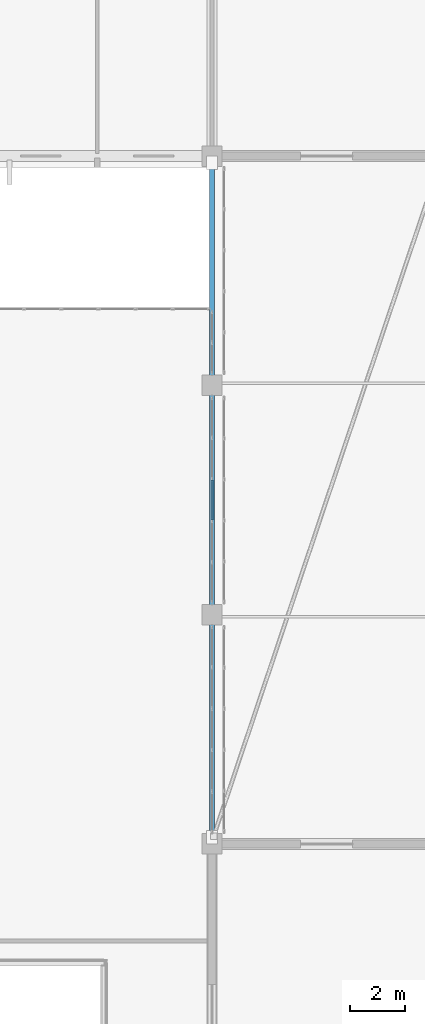
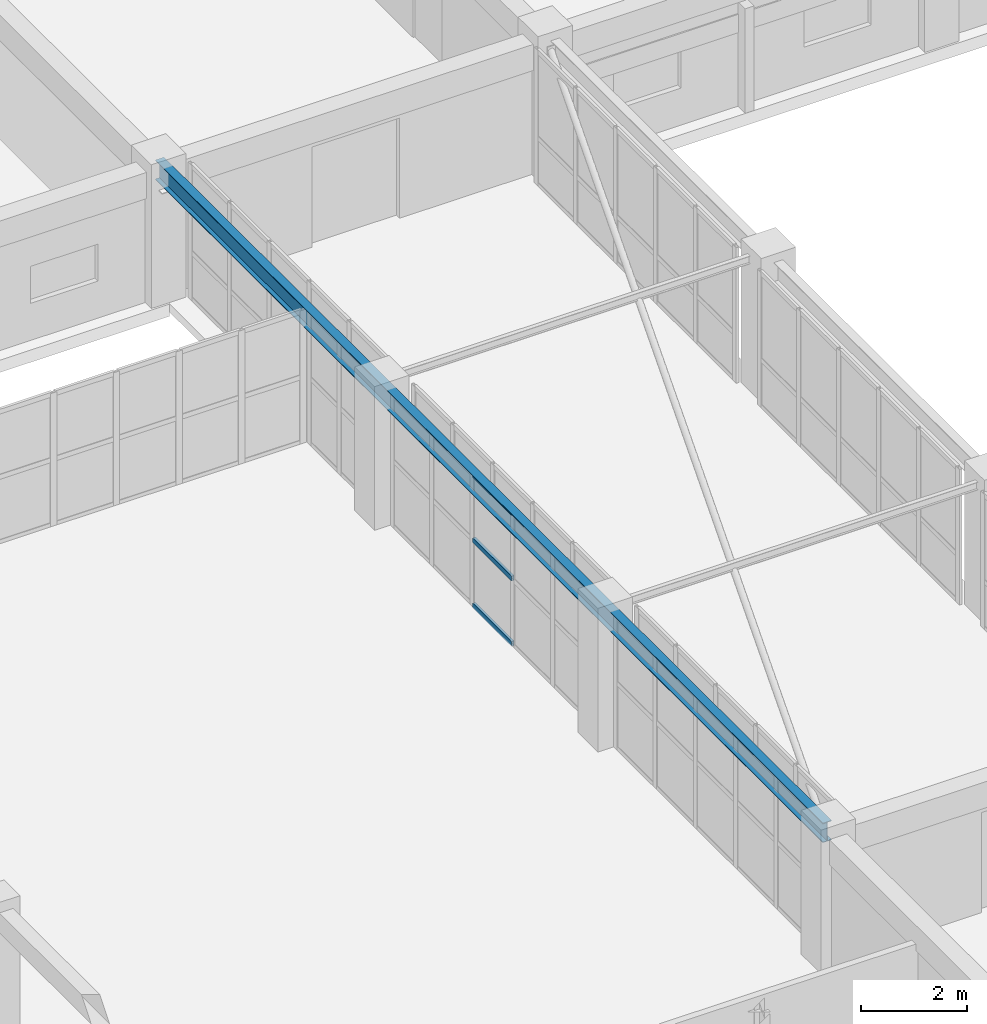
# One storey, part 98 of 200: 3 members, 1 beam, 1 element without a shape of its own.
"""IFC4 building model written with IfcOpenShell, lengths in metres."""

from ifc_helpers import new_model, si_unit, direction, frame, origin, origin_2d, place, context, subcontext, project, spatial, hollow_rectangle, i_section, extrude, material, layer, layer_set, material_profile, profile_set, type_object, element, aggregate, save


model = new_model("IFC4")

# Units and contexts
model_context = context("Model", 3, precision=1e-05, world=origin(), true_north=direction((0.0, 1.0)))
body_context = subcontext(model_context, "Body", "Model", "MODEL_VIEW")
ifc_project = project(units=[si_unit("LENGTHUNIT", "METRE"), si_unit("AREAUNIT", "SQUARE_METRE"), si_unit("VOLUMEUNIT", "CUBIC_METRE"), si_unit("PLANEANGLEUNIT", "RADIAN"), si_unit("MASSUNIT", "GRAM", prefix="KILO")], contexts=[model_context])

# Site, building, storey
site_placement = place(None, origin())
site = spatial("IfcSite", under=ifc_project, at=site_placement, CompositionType="ELEMENT")
building_placement = place(site_placement, origin())
building = spatial("IfcBuilding", under=site, at=building_placement, Name="Trelvath General Hospital", CompositionType="ELEMENT")
storey_placement = place(building_placement, frame((0.0, 0.0, 4.800048828125)))
storey = spatial("IfcBuildingStorey", under=building, at=storey_placement, Name="L01", CompositionType="ELEMENT", Elevation=4.800048828125)

# Beam
ifc_material_1 = material(Name="Steel S355", Category="steel")
ifc_material_profile_1 = material_profile(ifc_material_1, i_section(OverallWidth=0.18994140625, OverallDepth=0.449951171875, WebThickness=0.009521484375, FlangeThickness=0.0146484375, at=origin_2d()), Name="IPE450")
ifc_profile_set_1 = profile_set([ifc_material_profile_1], Name="Steel S355")
beam_type = type_object("IfcBeamType", Name="BridgeGirder IPE450", PredefinedType="BEAM", material=ifc_profile_set_1)
beam_placement = place(storey_placement, frame((75.60009765625, 67.239990234375, 2.885009765625), z_axis=(0.0, 1.0, 0.0), x_axis=(-1.0, 0.0, 0.0)))
element("IfcBeam", 1, at=beam_placement, inside=storey, type_object=beam_type, Name="Bridge Girder BRG-N-C W L02", PredefinedType="BEAM", context=body_context, shape_type="SweptSolid", body=[
    extrude(i_section(OverallWidth=0.18994140625, OverallDepth=0.449951171875, WebThickness=0.009521484375, FlangeThickness=0.0146484375, at=origin_2d()), origin(), (0.0, 0.0, 1.0), 25.1201171875),
])

# Curtain wall, members
ifc_material_2 = material(Name="Anodised aluminium and low-E glass", Category="aluminium")
ifc_layer = layer(ifc_material_2, 0.14990234375)
ifc_layer_set = layer_set([ifc_layer], Name="Anodised aluminium and low-E glass")
curtain_wall_type = type_object("IfcCurtainWallType", Name="CW CrystalCube 759 306 15", PredefinedType="USERDEFINED", material=ifc_layer_set)
curtain_wall_placement = place(storey_placement, origin())
curtain_wall = element("IfcCurtainWall", 2, at=curtain_wall_placement, inside=storey, type_object=curtain_wall_type, Name="Crystal Cube Curtain Wall CUBE-W-T0 E6 L01", ObjectType="Unitised Glazed Curtain Wall", PredefinedType="USERDEFINED")
ifc_material_3 = material(Name="Anodised aluminium", Category="aluminium")
ifc_material_profile_2 = material_profile(ifc_material_3, hollow_rectangle(XDim=0.06005859375, YDim=0.110107421875, WallThickness=0.00390625, at=origin_2d()), Name="RHS60x110x4")
ifc_profile_set_2 = profile_set([ifc_material_profile_2], Name="Anodised aluminium")
member_type = type_object("IfcMemberType", Name="CurtainTransom 60x110", PredefinedType="USERDEFINED", material=ifc_profile_set_2)
member_1_placement = place(storey_placement, frame((75.60009765625, 80.529052734375, 0.030029296875), z_axis=(0.0, -1.0, 0.0), x_axis=(1.0, 0.0, 0.0)))
member_1 = element("IfcMember", 3, at=member_1_placement, type_object=member_type, Name="CW-147 transom 3.1", ObjectType="TRANSOM", PredefinedType="USERDEFINED", context=body_context, shape_type="SweptSolid", body=[
    extrude(hollow_rectangle(XDim=0.06005859375, YDim=0.110107421875, WallThickness=0.00390625, at=origin_2d()), origin(), (0.0, 0.0, 1.0), 1.4580078125),
])
member_2_placement = place(storey_placement, frame((75.60009765625, 80.529052734375, 1.530029296875), z_axis=(0.0, -1.0, 0.0), x_axis=(1.0, 0.0, 0.0)))
member_2 = element("IfcMember", 4, at=member_2_placement, type_object=member_type, Name="CW-147 transom 3.2", ObjectType="TRANSOM", PredefinedType="USERDEFINED", context=body_context, shape_type="SweptSolid", body=[
    extrude(hollow_rectangle(XDim=0.06005859375, YDim=0.110107421875, WallThickness=0.00390625, at=origin_2d()), origin(), (0.0, 0.0, 1.0), 1.4580078125),
])
member_3_placement = place(storey_placement, frame((75.60009765625, 80.529052734375, 3.030029296875), z_axis=(0.0, -1.0, 0.0), x_axis=(1.0, 0.0, 0.0)))
member_3 = element("IfcMember", 5, at=member_3_placement, type_object=member_type, Name="CW-147 transom 3.3", ObjectType="TRANSOM", PredefinedType="USERDEFINED", context=body_context, shape_type="SweptSolid", body=[
    extrude(hollow_rectangle(XDim=0.06005859375, YDim=0.110107421875, WallThickness=0.00390625, at=origin_2d()), origin(), (0.0, 0.0, 1.0), 1.4580078125),
])
aggregate(curtain_wall, [member_1, member_2, member_3])

save(model, "model.ifc")
